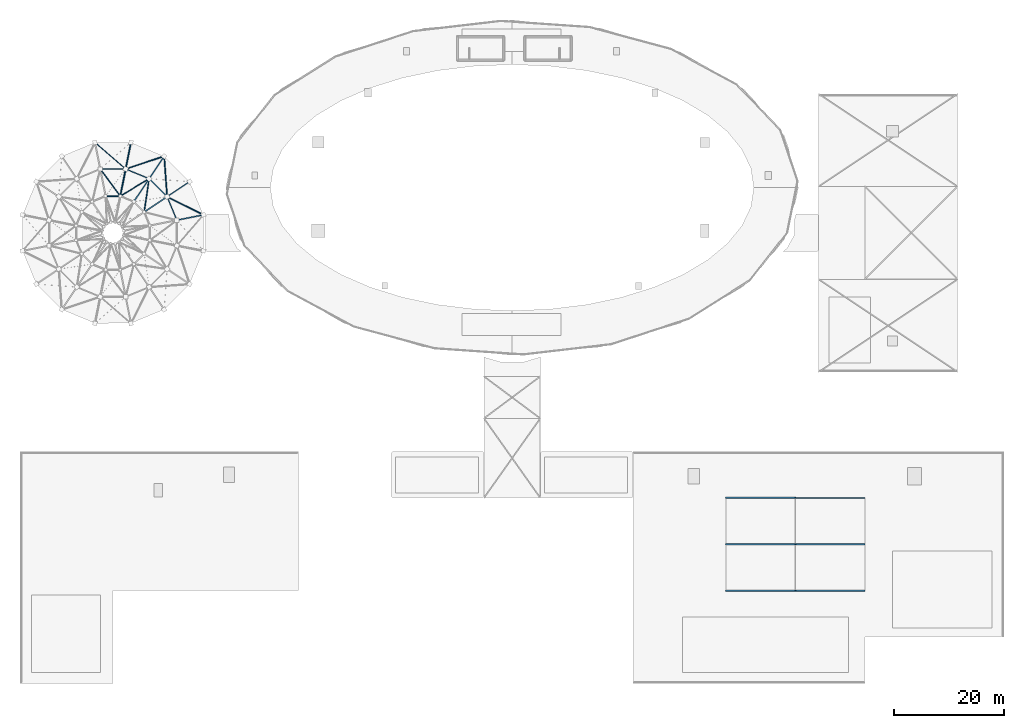
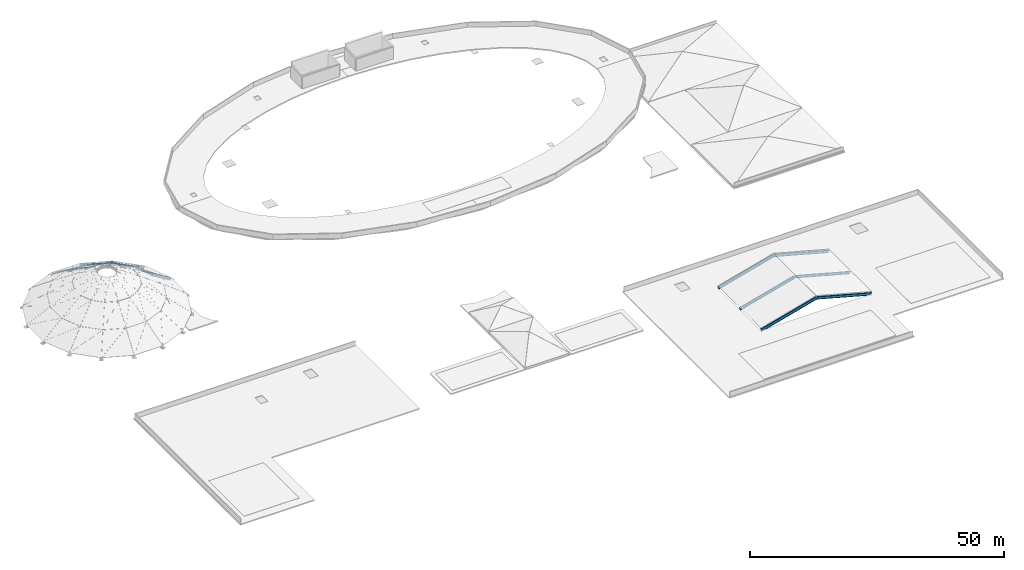
# One storey, part 3 of 11: 20 members, 5 beams.
"""IFC4 building model written with IfcOpenShell, lengths in metres."""

from ifc_helpers import new_model, si_unit, direction, frame, origin, origin_2d, place, context, subcontext, project, spatial, hollow_circle, i_section, extrude, material, material_profile, profile_set, type_object, element, save


model = new_model("IFC4")

# Units and contexts
model_context = context("Model", 3, precision=1e-05, world=origin(), true_north=direction((0.0, 1.0)))
body_context = subcontext(model_context, "Body", "Model", "MODEL_VIEW")
ifc_project = project(units=[si_unit("LENGTHUNIT", "METRE"), si_unit("AREAUNIT", "SQUARE_METRE"), si_unit("VOLUMEUNIT", "CUBIC_METRE"), si_unit("PLANEANGLEUNIT", "RADIAN"), si_unit("MASSUNIT", "GRAM", prefix="KILO"), si_unit("THERMODYNAMICTEMPERATUREUNIT", "KELVIN"), si_unit("POWERUNIT", "WATT")], contexts=[model_context])

# Site, building, storey
site_placement = place(None, origin())
site = spatial("IfcSite", under=ifc_project, at=site_placement, CompositionType="ELEMENT")
building_placement = place(site_placement, origin())
building = spatial("IfcBuilding", under=site, at=building_placement, Name="Darbajah Civic Hall", CompositionType="ELEMENT")
storey_placement = place(building_placement, frame((0.0, 0.0, 30.60009765625)))
storey = spatial("IfcBuildingStorey", under=building, at=storey_placement, Name="ROOF", CompositionType="ELEMENT", Elevation=30.60009765625)

# Members
ifc_material = material(Name="Steel S355JR", Category="steel")
ifc_material_profile_1 = material_profile(ifc_material, hollow_circle(Radius=0.06982421875, WallThickness=0.00634765625, at=origin_2d()), Name="CHS 139.7x6.3")
ifc_profile_set_1 = profile_set([ifc_material_profile_1], Name="Steel S355JR")
member_type_1 = type_object("IfcMemberType", Name="CHS 139.7x6.3", PredefinedType="BRACE", material=ifc_profile_set_1)
for number, where, z_axis, x_axis, name in (
    (1, (23.351806640625, 91.385009765625, -9.2744140625), (-0.131524319521, -0.88007409323, 0.456257541088), (0.989016460514, -0.147805415436, 0.0), "Council Chamber dome diagonal brace bay 1"),
    (2, (23.332763671875, 91.397705078125, -9.2744140625), (-0.76273258807, -0.458336505986, 0.456252831637), (0.515071540321, -0.857147191766, 0.0), "Council Chamber dome diagonal brace bay 2"),
    (3, (14.513916015625, 93.15185546875, -9.2744140625), (0.529267691302, -0.715330505125, 0.456265251122), (0.803883210257, 0.594787175607, 0.0), "Council Chamber dome diagonal brace bay 2"),
):
    element("IfcMember", number, at=place(storey_placement, frame(where, z_axis=z_axis, x_axis=x_axis)), inside=storey, type_object=member_type_1, Name=name, PredefinedType="BRACE", context=body_context, shape_type="SweptSolid", body=[
        extrude(hollow_circle(Radius=0.06982421875, WallThickness=0.00634765625, at=origin_2d()), origin(), (0.0, 0.0, 1.0), 6.795654296875),
    ])
ifc_material_profile_2 = material_profile(ifc_material, hollow_circle(Radius=0.084228515625, WallThickness=0.008056640625, at=origin_2d()), Name="CHS 168.3x8.0")
ifc_profile_set_2 = profile_set([ifc_material_profile_2], Name="Steel S355JR")
member_type_2 = type_object("IfcMemberType", Name="CHS 168.3x8.0", PredefinedType="BRACE", material=ifc_profile_set_2)
for number, where, z_axis, x_axis, name in (
    (4, (33.155517578125, 84.87060546875, -12.587890625), (-0.81480409133, 0.409003888571, 0.410865077471), (-0.448618636917, -0.893723289733, 0.0), "Council Chamber dome diagonal brace bay 1"),
    (5, (26.08056640625, 95.458984375, -12.587890625), (0.066087470513, -0.909297689859, 0.410865132932), (0.997369249434, 0.072488483802, 0.0), "Council Chamber dome diagonal brace bay 1"),
    (6, (26.052490234375, 95.477783203125, -12.587890625), (-0.865366456411, -0.286929911716, 0.410867523518), (0.314721363588, -0.949184104008, 0.0), "Council Chamber dome diagonal brace bay 2"),
    (7, (13.5625, 97.962158203125, -12.587890625), (0.689699846203, -0.596244830547, 0.410860346338), (0.65399358068, 0.75650009678, 0.0), "Council Chamber dome diagonal brace bay 2"),
):
    element("IfcMember", number, at=place(storey_placement, frame(where, z_axis=z_axis, x_axis=x_axis)), inside=storey, type_object=member_type_2, Name=name, PredefinedType="BRACE", context=body_context, shape_type="SweptSolid", body=[
        extrude(hollow_circle(Radius=0.084228515625, WallThickness=0.008056640625, at=origin_2d()), origin(), (0.0, 0.0, 1.0), 8.001708984375),
    ])
ifc_material_profile_3 = material_profile(ifc_material, i_section(OverallWidth=0.1904296875, OverallDepth=0.45703125, WebThickness=0.009033203125, FlangeThickness=0.014404296875, FilletRadius=0.01025390625, at=origin_2d()), Name="UB 457x191x74")
ifc_profile_set_3 = profile_set([ifc_material_profile_3], Name="Steel S355JR")
member_type_3 = type_object("IfcMemberType", Name="Roof Rafter UB 457x191x74", PredefinedType="RAFTER", material=ifc_profile_set_3)
member_1_placement = place(storey_placement, frame((30.672607421875, 90.869384765625, -12.5888671875), z_axis=(-0.6889200112, -0.460332703063, 0.559895544418), x_axis=(0.555579468259, -0.831463441439, 0.0)))
element("IfcMember", 8, at=member_1_placement, inside=storey, type_object=member_type_3, Name="Council Chamber dome meridian rib 2.1", PredefinedType="RAFTER", context=body_context, shape_type="SweptSolid", body=[
    extrude(i_section(OverallWidth=0.1904296875, OverallDepth=0.45703125, WebThickness=0.009033203125, FlangeThickness=0.014404296875, FilletRadius=0.01025390625, at=origin_2d()), origin(), (0.0, 0.0, 1.0), 5.875244140625),
])
member_2_placement = place(storey_placement, frame((26.59716796875, 88.146240234375, -9.277587890625), z_axis=(-0.704883813729, -0.470992253234, 0.530382038285), x_axis=(0.555573451512, -0.831467461766, 0.0)))
element("IfcMember", 9, at=member_2_placement, inside=storey, type_object=member_type_3, Name="Council Chamber dome meridian rib 2.2", PredefinedType="RAFTER", context=body_context, shape_type="SweptSolid", body=[
    extrude(i_section(OverallWidth=0.1904296875, OverallDepth=0.45703125, WebThickness=0.009033203125, FlangeThickness=0.014404296875, FilletRadius=0.01025390625, at=origin_2d()), origin(), (0.0, 0.0, 1.0), 5.85791015625),
])
member_3_placement = place(storey_placement, frame((20.054931640625, 97.963623046875, -12.5888671875), z_axis=(-0.161657342066, -0.812608654693, 0.559941138045), x_axis=(0.980780792783, -0.195112881453, 0.0)))
element("IfcMember", 10, at=member_3_placement, inside=storey, type_object=member_type_3, Name="Council Chamber dome meridian rib 4.1", PredefinedType="RAFTER", context=body_context, shape_type="SweptSolid", body=[
    extrude(i_section(OverallWidth=0.1904296875, OverallDepth=0.45703125, WebThickness=0.009033203125, FlangeThickness=0.014404296875, FilletRadius=0.01025390625, at=origin_2d()), origin(), (0.0, 0.0, 1.0), 5.874755859375),
])
member_4_placement = place(storey_placement, frame((19.098876953125, 93.15673828125, -9.277587890625), z_axis=(-0.165411412036, -0.831474699301, 0.530366749702), x_axis=(0.980780583025, -0.195113935844, 0.0)))
element("IfcMember", 11, at=member_4_placement, inside=storey, type_object=member_type_3, Name="Council Chamber dome meridian rib 4.2", PredefinedType="RAFTER", context=body_context, shape_type="SweptSolid", body=[
    extrude(i_section(OverallWidth=0.1904296875, OverallDepth=0.45703125, WebThickness=0.009033203125, FlangeThickness=0.014404296875, FilletRadius=0.01025390625, at=origin_2d()), origin(), (0.0, 0.0, 1.0), 5.858154296875),
])
ifc_material_profile_4 = material_profile(ifc_material, i_section(OverallWidth=0.209228515625, OverallDepth=0.533203125, WebThickness=0.010009765625, FlangeThickness=0.015625, FilletRadius=0.0126953125, at=origin_2d()), Name="UB 533x210x92")
ifc_profile_set_4 = profile_set([ifc_material_profile_4], Name="Steel S355JR")
member_type_4 = type_object("IfcMemberType", Name="Roof Rafter UB 533x210x92", PredefinedType="RAFTER", material=ifc_profile_set_4)
for number, where, z_axis, x_axis, name in (
    (12, (33.163818359375, 84.85498046875, -12.5888671875), (-0.81262276958, -0.161651883082, 0.559922229472), (0.195103283617, -0.980782702091, 0.0), "Council Chamber dome meridian rib 1.1"),
    (13, (26.0693359375, 95.472412109375, -12.5888671875), (-0.460313131635, -0.688911356526, 0.559922283619), (0.831471128905, -0.555567963257, 0.0), "Council Chamber dome meridian rib 3.1"),
):
    element("IfcMember", number, at=place(storey_placement, frame(where, z_axis=z_axis, x_axis=x_axis)), inside=storey, type_object=member_type_4, Name=name, PredefinedType="RAFTER", context=body_context, shape_type="SweptSolid", body=[
        extrude(i_section(OverallWidth=0.209228515625, OverallDepth=0.533203125, WebThickness=0.010009765625, FlangeThickness=0.015625, FilletRadius=0.0126953125, at=origin_2d()), origin(), (0.0, 0.0, 1.0), 5.875),
    ])
member_5_placement = place(storey_placement, frame((23.34619140625, 91.397216796875, -9.277587890625), z_axis=(-0.47095982061, -0.704897650086, 0.530392449299), x_axis=(0.831490171389, -0.55553946294, 0.0)))
element("IfcMember", 14, at=member_5_placement, inside=storey, type_object=member_type_4, Name="Council Chamber dome meridian rib 3.2", PredefinedType="RAFTER", context=body_context, shape_type="SweptSolid", body=[
    extrude(i_section(OverallWidth=0.209228515625, OverallDepth=0.533203125, WebThickness=0.010009765625, FlangeThickness=0.015625, FilletRadius=0.0126953125, at=origin_2d()), origin(), (0.0, 0.0, 1.0), 5.85791015625),
])
ifc_material_profile_5 = material_profile(ifc_material, i_section(OverallWidth=0.228271484375, OverallDepth=0.607666015625, WebThickness=0.010986328125, FlangeThickness=0.017333984375, FilletRadius=0.0126953125, at=origin_2d()), Name="UB 610x229x113")
ifc_profile_set_5 = profile_set([ifc_material_profile_5], Name="Steel S355JR")
member_type_5 = type_object("IfcMemberType", Name="Roof Rafter UB 610x229x113", PredefinedType="RAFTER", material=ifc_profile_set_5)
for number, where, z_axis, x_axis, name in (
    (15, (152.93994140625, 16.800048828125, -16.800048828125), (-0.965155611953, 0.0, 0.261676603303), (0.0, -1.0, 0.0), "Public Hall pavilion arch rafter 1E"),
    (16, (152.93994140625, 25.199951171875, -16.800048828125), (-0.965155611953, 0.0, 0.261676603303), (0.0, -1.0, 0.0), "Public Hall pavilion arch rafter 2E"),
    (17, (152.93994140625, 33.60009765625, -16.800048828125), (-0.965155611953, 0.0, 0.261676603303), (0.0, -1.0, 0.0), "Public Hall pavilion arch rafter 3E"),
):
    element("IfcMember", number, at=place(storey_placement, frame(where, z_axis=z_axis, x_axis=x_axis)), inside=storey, type_object=member_type_5, Name=name, PredefinedType="RAFTER", context=body_context, shape_type="SweptSolid", body=[
        extrude(i_section(OverallWidth=0.228271484375, OverallDepth=0.607666015625, WebThickness=0.010986328125, FlangeThickness=0.017333984375, FilletRadius=0.0126953125, at=origin_2d()), origin(), (0.0, 0.0, 1.0), 12.99267578125),
    ])
ifc_material_profile_6 = material_profile(ifc_material, i_section(OverallWidth=0.253662109375, OverallDepth=0.68359375, WebThickness=0.012451171875, FlangeThickness=0.01904296875, FilletRadius=0.01513671875, at=origin_2d()), Name="UB 686x254x140")
ifc_profile_set_6 = profile_set([ifc_material_profile_6], Name="Steel S355JR")
member_type_6 = type_object("IfcMemberType", Name="Roof Rafter UB 686x254x140", PredefinedType="RAFTER", material=ifc_profile_set_6)
for number, where, z_axis, x_axis, name in (
    (18, (127.860107421875, 16.800048828125, -16.800048828125), (0.965154325244, 0.0, 0.261681349091), (0.0, 1.0, 0.0), "Public Hall pavilion arch rafter 1W"),
    (19, (127.860107421875, 25.199951171875, -16.800048828125), (0.965154325244, 0.0, 0.261681349091), (0.0, 1.0, 0.0), "Public Hall pavilion arch rafter 2W"),
    (20, (127.860107421875, 33.60009765625, -16.800048828125), (0.965154325244, 0.0, 0.261681349091), (0.0, 1.0, 0.0), "Public Hall pavilion arch rafter 3W"),
):
    element("IfcMember", number, at=place(storey_placement, frame(where, z_axis=z_axis, x_axis=x_axis)), inside=storey, type_object=member_type_6, Name=name, PredefinedType="RAFTER", context=body_context, shape_type="SweptSolid", body=[
        extrude(i_section(OverallWidth=0.253662109375, OverallDepth=0.68359375, WebThickness=0.012451171875, FlangeThickness=0.01904296875, FilletRadius=0.01513671875, at=origin_2d()), origin(), (0.0, 0.0, 1.0), 12.992431640625),
    ])

# Beams
ifc_material_profile_7 = material_profile(ifc_material, i_section(OverallWidth=0.172119140625, OverallDepth=0.35791015625, WebThickness=0.008056640625, FlangeThickness=0.012939453125, FilletRadius=0.01025390625, at=origin_2d()), Name="UB 356x171x57")
ifc_profile_set_7 = profile_set([ifc_material_profile_7], Name="Steel S355JR")
beam_type_1 = type_object("IfcBeamType", Name="UB 356x171x57", PredefinedType="BEAM", material=ifc_profile_set_7)
beam_1_placement = place(storey_placement, frame((18.106689453125, 88.269287109375, -6.16015625), z_axis=(-1.0, 0.0, 0.0), x_axis=(0.0, -1.0, 0.0)))
element("IfcBeam", 21, at=beam_1_placement, inside=storey, type_object=beam_type_1, Name="Dome Hoop Ring 2 segment 4", PredefinedType="BEAM", context=body_context, shape_type="SweptSolid", body=[
    extrude(i_section(OverallWidth=0.172119140625, OverallDepth=0.35791015625, WebThickness=0.008056640625, FlangeThickness=0.012939453125, FilletRadius=0.01025390625, at=origin_2d()), origin(), (0.0, 0.0, 1.0), 2.61328125),
])
ifc_material_profile_8 = material_profile(ifc_material, i_section(OverallWidth=0.177978515625, OverallDepth=0.406494140625, WebThickness=0.0078125, FlangeThickness=0.0126953125, FilletRadius=0.01025390625, at=origin_2d()), Name="UB 406x178x60")
ifc_profile_set_8 = profile_set([ifc_material_profile_8], Name="Steel S355JR")
beam_type_2 = type_object("IfcBeamType", Name="UB 406x178x60", PredefinedType="BEAM", material=ifc_profile_set_8)
for number, where, z_axis, x_axis, name in (
    (22, (28.365478515625, 83.920654296875, -9.2880859375), (-0.382688800239, 0.923877309047, 0.0), (-0.923877309047, -0.382688800239, 0.0), "Dome Hoop Ring 1 segment 1"),
    (23, (26.59716796875, 88.169921875, -9.2880859375), (-0.707106781187, 0.707106781187, 0.0), (-0.707106781187, -0.707106781187, 0.0), "Dome Hoop Ring 1 segment 2"),
    (24, (23.337158203125, 91.4189453125, -9.2880859375), (-0.923877309047, 0.382688800239, 0.0), (-0.382688800239, -0.923877309047, 0.0), "Dome Hoop Ring 1 segment 3"),
):
    element("IfcBeam", number, at=place(storey_placement, frame(where, z_axis=z_axis, x_axis=x_axis)), inside=storey, type_object=beam_type_2, Name=name, PredefinedType="BEAM", context=body_context, shape_type="SweptSolid", body=[
        extrude(i_section(OverallWidth=0.177978515625, OverallDepth=0.406494140625, WebThickness=0.0078125, FlangeThickness=0.0126953125, FilletRadius=0.01025390625, at=origin_2d()), origin(), (0.0, 0.0, 1.0), 4.56396484375),
    ])
beam_2_placement = place(storey_placement, frame((19.08203125, 93.17333984375, -9.2880859375), z_axis=(-1.0, 0.0, 0.0), x_axis=(0.0, -1.0, 0.0)))
element("IfcBeam", 25, at=beam_2_placement, inside=storey, type_object=beam_type_2, Name="Dome Hoop Ring 1 segment 4", PredefinedType="BEAM", context=body_context, shape_type="SweptSolid", body=[
    extrude(i_section(OverallWidth=0.177978515625, OverallDepth=0.406494140625, WebThickness=0.0078125, FlangeThickness=0.0126953125, FilletRadius=0.01025390625, at=origin_2d()), origin(), (0.0, 0.0, 1.0), 4.564208984375),
])

save(model, "model.ifc")
